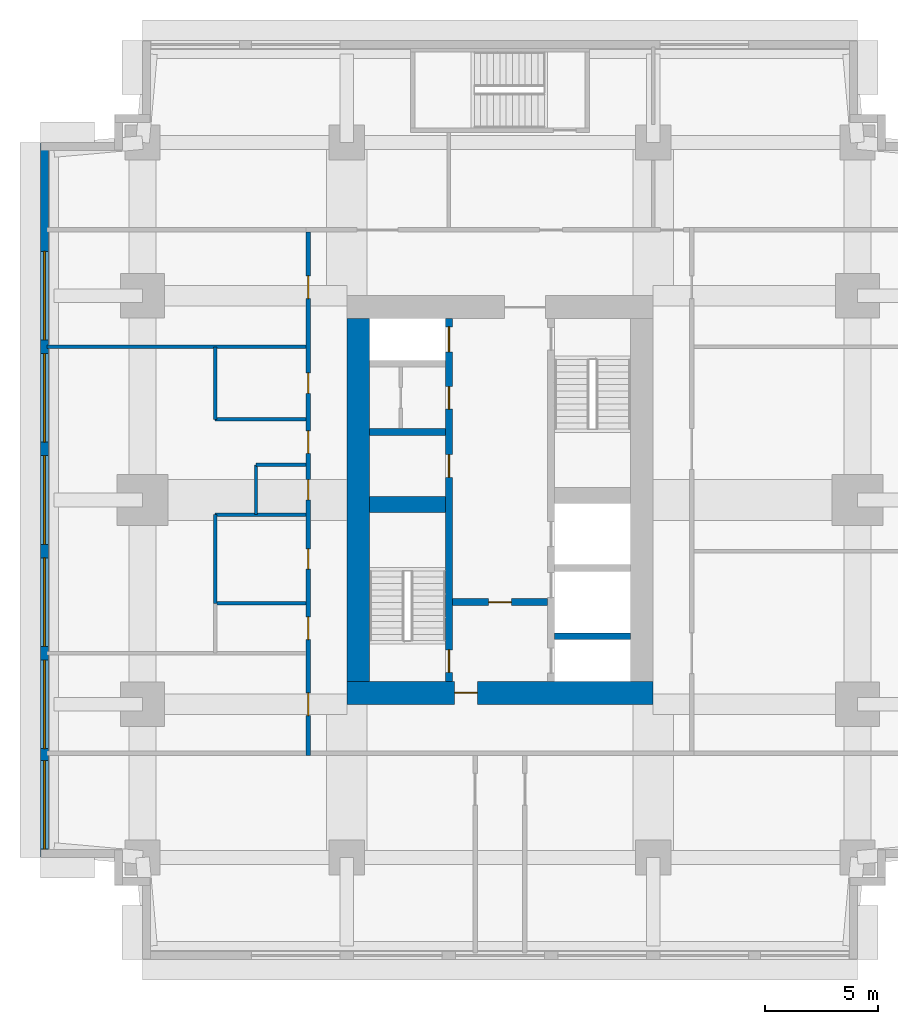
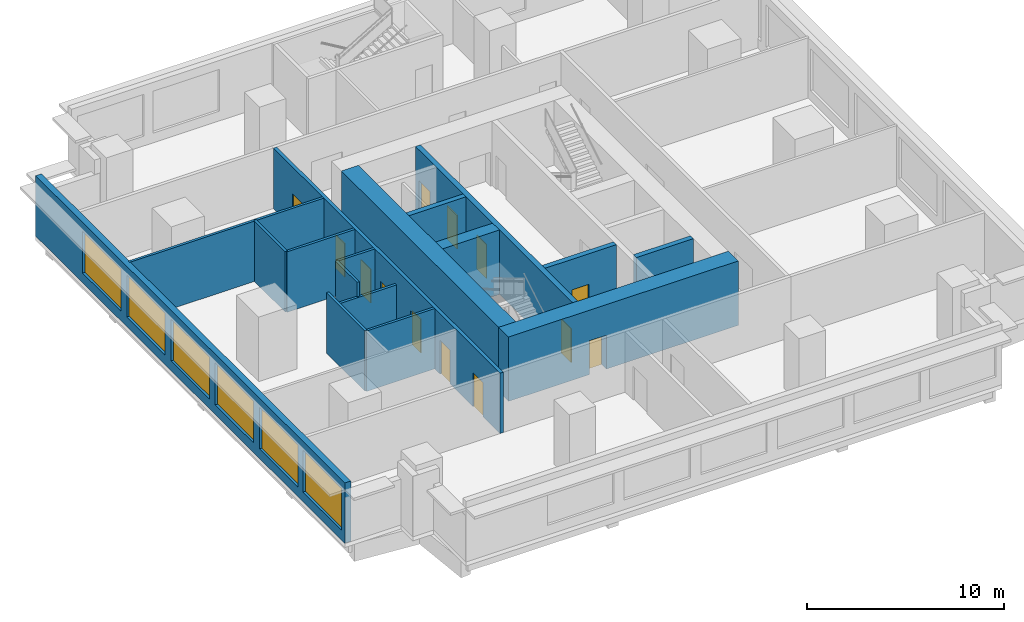
# One storey, part 3 of 10: 17 walls, 13 doors, 6 windows, 19 openings.
"""IFC4 building model written with IfcOpenShell, lengths in metres."""

import ifcopenshell
import ifcopenshell.guid

model = None  # the IFC model being written
_history = None  # IfcOwnerHistory: only IFC2X3 demands one
_inside = {}  # id of a spatial element -> (the spatial element, [elements in it])
_under = {}  # id of a project, library or spatial element -> (it, [spatial elements below it])
_declared = {}  # id of a project -> (the project, [libraries it declares])
_typed = {}  # id of a type object -> (the type object, [elements of that type])
_made_of = {}  # id of a material, layer set ... -> (it, [elements and type objects made of it])


def new_model(schema):
    """Start an empty IFC model of exactly this schema.

    Asked for "IFC4X3", IfcOpenShell would pick the latest addendum, in which some entities
    have other attributes; the version numbers below select the first issue.
    IFC2X3 requires an IfcOwnerHistory on every rooted entity: one is made here for all.
    """
    global model, _history
    if schema == "IFC4X3":
        model = ifcopenshell.file(schema_version=(4, 3, 0, 0))
    else:
        model = ifcopenshell.file(schema=schema)
    _inside.clear()
    _under.clear()
    _declared.clear()
    _typed.clear()
    _made_of.clear()
    _history = None
    if model.schema == "IFC2X3":
        org = make("IfcOrganization", Name="unknown")
        user = make(
            "IfcPersonAndOrganization",
            ThePerson=make("IfcPerson", FamilyName="unknown"),
            TheOrganization=org,
        )
        app = make(
            "IfcApplication",
            ApplicationDeveloper=org,
            Version="unknown",
            ApplicationFullName="unknown",
            ApplicationIdentifier="unknown",
        )
        _history = make(
            "IfcOwnerHistory",
            OwningUser=user,
            OwningApplication=app,
            ChangeAction="ADDED",
            CreationDate=0,
        )
    return model


def make(cls, **values):
    """One entity of the class cls with the attributes given. An attribute that is None is left unset."""
    return model.create_entity(
        cls, **{name: value for name, value in values.items() if value is not None}
    )


def rooted(cls, **values):
    """An entity with a GlobalId (a new one), such as an element, a storey or a relation."""
    return make(cls, GlobalId=ifcopenshell.guid.new(), OwnerHistory=_history, **values)


def si_unit(unit_type, name, prefix=None):
    """IfcSIUnit, for example si_unit("LENGTHUNIT", "METRE", prefix="MILLI")."""
    return make("IfcSIUnit", UnitType=unit_type, Prefix=prefix, Name=name)


def assignment(units):
    """IfcUnitAssignment: the units of a project."""
    return None if units is None else make("IfcUnitAssignment", Units=units)


def point(xyz):
    """IfcCartesianPoint."""
    return None if xyz is None else make("IfcCartesianPoint", Coordinates=xyz)


def direction(xyz):
    """IfcDirection."""
    return None if xyz is None else make("IfcDirection", DirectionRatios=xyz)


def frame(location, z_axis=None, x_axis=None):
    """IfcAxis2Placement3D, a coordinate frame: its origin and axes. An axis left out is left unset."""
    return make(
        "IfcAxis2Placement3D",
        Location=point(location),
        Axis=direction(z_axis),
        RefDirection=direction(x_axis),
    )


def frame_2d(location, x_axis=None):
    """IfcAxis2Placement2D, a coordinate frame in the plane: its origin and x axis."""
    return make(
        "IfcAxis2Placement2D", Location=point(location), RefDirection=direction(x_axis)
    )


def origin():
    """The frame at (0, 0, 0) with its axes left unset."""
    return frame((0.0, 0.0, 0.0))


def place(relative_to, where):
    """IfcLocalPlacement: puts the frame where relative to a parent placement (None: the world)."""
    return make(
        "IfcLocalPlacement", PlacementRelTo=relative_to, RelativePlacement=where
    )


def context(
    kind, dimensions, precision=None, world=None, true_north=None, identifier=None
):
    """IfcGeometricRepresentationContext, for example the 3D "Model" context."""
    return make(
        "IfcGeometricRepresentationContext",
        ContextIdentifier=identifier,
        ContextType=kind,
        CoordinateSpaceDimension=dimensions,
        Precision=precision,
        WorldCoordinateSystem=world,
        TrueNorth=true_north,
    )


def subcontext(parent, identifier, kind, view, scale=None):
    """IfcGeometricRepresentationSubContext, for example "Body" below "Model"."""
    return make(
        "IfcGeometricRepresentationSubContext",
        ContextIdentifier=identifier,
        ContextType=kind,
        ParentContext=parent,
        TargetScale=scale,
        TargetView=view,
    )


def project(units=None, contexts=None):
    """IfcProject with its units and contexts."""
    return rooted(
        "IfcProject",
        Name="project",
        RepresentationContexts=contexts,
        UnitsInContext=assignment(units),
    )


def spatial(cls, under=None, at=None, **own):
    """A site, building, storey or space (cls), placed at a placement, below another one or the project."""
    s = rooted(cls, ObjectPlacement=at, **own)
    if under is not None:
        _under.setdefault(under.id(), (under, []))[1].append(s)
    return s


def profile(cls, at=None, kind="AREA", **sizes):
    """A parametric profile (cls). Its sizes go by their IFC names, for example OverallWidth=200.0."""
    return make(cls, ProfileType=kind, Position=at, **sizes)


def rectangle(**sizes):
    """IfcRectangleProfileDef."""
    return profile("IfcRectangleProfileDef", **sizes)


def extrude(swept, where, along, depth):
    """IfcExtrudedAreaSolid: the profile swept, set in the frame where, extruded along a direction by depth."""
    return make(
        "IfcExtrudedAreaSolid",
        SweptArea=swept,
        Position=where,
        ExtrudedDirection=direction(along),
        Depth=depth,
    )


def shape(context_of_items, identifier, shape_type, items):
    """IfcShapeRepresentation: the items that make up one representation, for example the "Body"."""
    return make(
        "IfcShapeRepresentation",
        ContextOfItems=context_of_items,
        RepresentationIdentifier=identifier,
        RepresentationType=shape_type,
        Items=items,
    )


def material(Name=None, Category=None):
    """IfcMaterial."""
    return make("IfcMaterial", Name=Name, Category=Category)


def layer(
    of_material, thickness, ventilated=None, Name=None, Category=None, Priority=None
):
    """IfcMaterialLayer: one layer of a wall or slab, of a material (None: an air gap)."""
    return make(
        "IfcMaterialLayer",
        Material=of_material,
        LayerThickness=thickness,
        IsVentilated=ventilated,
        Name=Name,
        Category=Category,
        Priority=Priority,
    )


def layer_set(layers, Name=None):
    """IfcMaterialLayerSet."""
    return make("IfcMaterialLayerSet", MaterialLayers=layers, LayerSetName=Name)


def made_of(thing, what):
    """Note that an element or type object is made of a material, layer set ...; save() writes the relation."""
    if what is not None:
        _made_of.setdefault(what.id(), (what, []))[1].append(thing)
    return thing


def type_object(cls, material=None, **own):
    """A type object (cls), such as IfcWallType, which elements share."""
    return made_of(rooted(cls, **own), material)


def element(
    cls,
    number,
    at=None,
    inside=None,
    cuts=None,
    type_object=None,
    material=None,
    context=None,
    identifier="Body",
    shape_type=None,
    held_by="IfcProductDefinitionShape",
    body=None,
    shapes=None,
    **own,
):
    """One element of the class cls, such as IfcWall. Its Tag is "e" and its number.

    at: its placement. inside: the storey or other place that contains it. cuts: it is an
    opening in that element (IfcRelVoidsElement). A single representation is given by context,
    identifier, shape_type and body (its items); several are given by shapes. held_by: the class
    of the entity that holds the representations. save() writes the other relations.
    """
    e = rooted(cls, Tag="e%d" % number, ObjectPlacement=at, **own)
    if body is not None:
        shapes = [shape(context, identifier, shape_type, body)]
    if shapes is not None:
        e.Representation = make(held_by, Representations=shapes)
    if inside is not None:
        _inside.setdefault(inside.id(), (inside, []))[1].append(e)
    if cuts is not None:
        rooted(
            "IfcRelVoidsElement", RelatingBuildingElement=cuts, RelatedOpeningElement=e
        )
    if type_object is not None:
        _typed.setdefault(type_object.id(), (type_object, []))[1].append(e)
    return made_of(e, material)


def fill(opening, filler):
    """IfcRelFillsElement: the door or window that sits in an opening."""
    return rooted(
        "IfcRelFillsElement",
        RelatingOpeningElement=opening,
        RelatedBuildingElement=filler,
    )


def aggregate(whole, parts):
    """IfcRelAggregates: a whole, such as a stair, and the parts it consists of."""
    return rooted("IfcRelAggregates", RelatingObject=whole, RelatedObjects=parts)


def save(model, path):
    """Write the relations noted so far, then the file.

    IfcRelAggregates (storeys below a building ...), IfcRelContainedInSpatialStructure (elements
    in a storey), IfcRelDefinesByType, IfcRelAssociatesMaterial and IfcRelDeclares: one each for
    every whole, place, type object, material and project.
    """
    for whole, parts in _under.values():
        aggregate(whole, parts)
    for where, things in _inside.values():
        rooted(
            "IfcRelContainedInSpatialStructure",
            RelatedElements=things,
            RelatingStructure=where,
        )
    for kind, things in _typed.values():
        rooted("IfcRelDefinesByType", RelatedObjects=things, RelatingType=kind)
    for what, things in _made_of.values():
        rooted("IfcRelAssociatesMaterial", RelatedObjects=things, RelatingMaterial=what)
    for by, libraries in _declared.values():
        rooted("IfcRelDeclares", RelatingContext=by, RelatedDefinitions=libraries)
    model.write(path)


model = new_model("IFC4")

# Units and contexts
model_context = context("Model", 3, precision=1e-05, world=origin(), true_north=direction((0.0, 1.0)))
body_context = subcontext(model_context, "Body", "Model", "MODEL_VIEW")
ifc_project = project(units=[si_unit("LENGTHUNIT", "METRE"), si_unit("AREAUNIT", "SQUARE_METRE"), si_unit("VOLUMEUNIT", "CUBIC_METRE"), si_unit("PLANEANGLEUNIT", "RADIAN"), si_unit("MASSUNIT", "GRAM", prefix="KILO")], contexts=[model_context])

# Site, building, storey
site_placement = place(None, origin())
site = spatial("IfcSite", under=ifc_project, at=site_placement, CompositionType="ELEMENT")
building_placement = place(site_placement, origin())
building = spatial("IfcBuilding", under=site, at=building_placement, Name="Namib Vertical Campus", CompositionType="ELEMENT")
storey_placement = place(building_placement, frame((0.0, 0.0, 229.0)))
storey = spatial("IfcBuildingStorey", under=building, at=storey_placement, Name="L54", CompositionType="ELEMENT", Elevation=229.0)

# Wall, openings, doors
ifc_material_1 = material(Name="Concrete C60/75", Category="concrete")
ifc_layer_1 = layer(ifc_material_1, 0.300048828125)
ifc_layer_set_1 = layer_set([ifc_layer_1], Name="Concrete C60/75")
wall_type_1 = type_object("IfcWallType", Name="Core inner wall 300", PredefinedType="SHEAR", material=ifc_layer_set_1)
wall_1_placement = place(storey_placement, frame((18.0, 12.25, 0.0), z_axis=(0.0, 0.0, 1.0), x_axis=(0.0, 1.0, 0.0)))
wall_1 = element("IfcWall", 1, at=wall_1_placement, inside=storey, type_object=wall_type_1, Name="Core inner wall A L54 W1", PredefinedType="SHEAR", context=body_context, shape_type="SweptSolid", body=[
    extrude(rectangle(XDim=16.0, YDim=0.300048828125, at=frame_2d((8.0, 0.0))), origin(), (0.0, 0.0, 1.0), 4.0),
])
opening_1_placement = place(wall_1_placement, frame((0.39990234375, 0.0, 0.0)))
opening_1 = element("IfcOpeningElement", 2, at=opening_1_placement, cuts=wall_1, Name="Opening FD1", PredefinedType="OPENING", context=body_context, shape_type="SweptSolid", body=[
    extrude(rectangle(XDim=1.0, YDim=2.10009765625, at=frame_2d((0.5, 1.050048828125))), frame((0.0, 0.159912109375, 0.0), z_axis=(0.0, -1.0, 0.0), x_axis=(1.0, 0.0, 0.0)), (0.0, 0.0, 1.0), 0.320068359375),
])
opening_2_placement = place(wall_1_placement, frame((14.52490234375, 0.0, 0.0)))
opening_2 = element("IfcOpeningElement", 3, at=opening_2_placement, cuts=wall_1, Name="Opening LD1", PredefinedType="OPENING", context=body_context, shape_type="SweptSolid", body=[
    extrude(rectangle(XDim=1.10009765625, YDim=2.10009765625, at=frame_2d((0.550048828125, 1.050048828125))), frame((0.0, 0.159912109375, 0.0), z_axis=(0.0, -1.0, 0.0), x_axis=(1.0, 0.0, 0.0)), (0.0, 0.0, 1.0), 0.320068359375),
])
opening_3_placement = place(wall_1_placement, frame((9.0, 0.0, 0.0)))
opening_3 = element("IfcOpeningElement", 4, at=opening_3_placement, cuts=wall_1, Name="Opening D1", PredefinedType="OPENING", context=body_context, shape_type="SweptSolid", body=[
    extrude(rectangle(XDim=1.0, YDim=2.10009765625, at=frame_2d((0.5, 1.050048828125))), frame((0.0, 0.159912109375, 0.0), z_axis=(0.0, -1.0, 0.0), x_axis=(1.0, 0.0, 0.0)), (0.0, 0.0, 1.0), 0.320068359375),
])
opening_4_placement = place(wall_1_placement, frame((12.0, 0.0, 0.0)))
opening_4 = element("IfcOpeningElement", 5, at=opening_4_placement, cuts=wall_1, Name="Opening D1", PredefinedType="OPENING", context=body_context, shape_type="SweptSolid", body=[
    extrude(rectangle(XDim=1.0, YDim=2.10009765625, at=frame_2d((0.5, 1.050048828125))), frame((0.0, 0.159912109375, 0.0), z_axis=(0.0, -1.0, 0.0), x_axis=(1.0, 0.0, 0.0)), (0.0, 0.0, 1.0), 0.320068359375),
])
ifc_material_2 = material(Name="Timber door leaf", Category="wood")
door_type_1 = type_object("IfcDoorType", Name="Door single 1000x2100", OperationType="SINGLE_SWING_LEFT", PredefinedType="DOOR", material=ifc_material_2)
door_1_placement = place(opening_3_placement, origin())
door_1 = element("IfcDoor", 6, at=door_1_placement, inside=storey, type_object=door_type_1, Name="Door D1 Staff pantry A L54 P1", OperationType="SINGLE_SWING_LEFT", OverallHeight=2.10009765625, OverallWidth=1.0, PredefinedType="DOOR", context=body_context, shape_type="SweptSolid", body=[
    extrude(rectangle(XDim=1.0, YDim=2.10009765625, at=frame_2d((0.5, 1.050048828125))), frame((0.0, 0.02490234375, 0.0), z_axis=(0.0, -1.0, 0.0), x_axis=(1.0, 0.0, 0.0)), (0.0, 0.0, 1.0), 0.050048828125),
])
fill(opening_3, door_1)
door_2_placement = place(opening_4_placement, origin())
door_2 = element("IfcDoor", 7, at=door_2_placement, inside=storey, type_object=door_type_1, Name="Door D1 Records store A L54 P2", OperationType="SINGLE_SWING_LEFT", OverallHeight=2.10009765625, OverallWidth=1.0, PredefinedType="DOOR", context=body_context, shape_type="SweptSolid", body=[
    extrude(rectangle(XDim=1.0, YDim=2.10009765625, at=frame_2d((0.5, 1.050048828125))), frame((0.0, 0.02490234375, 0.0), z_axis=(0.0, -1.0, 0.0), x_axis=(1.0, 0.0, 0.0)), (0.0, 0.0, 1.0), 0.050048828125),
])
fill(opening_4, door_2)
ifc_material_3 = material(Name="Steel fire door", Category="steel")
door_type_2 = type_object("IfcDoorType", Name="Fire door 1000x2100", OperationType="SINGLE_SWING_RIGHT", PredefinedType="DOOR", material=ifc_material_3)
door_3_placement = place(opening_1_placement, origin())
door_3 = element("IfcDoor", 8, at=door_3_placement, inside=storey, type_object=door_type_2, Name="Stair door FD1 A L54 S1", OperationType="SINGLE_SWING_LEFT", OverallHeight=2.10009765625, OverallWidth=1.0, PredefinedType="DOOR", context=body_context, shape_type="SweptSolid", body=[
    extrude(rectangle(XDim=1.0, YDim=2.10009765625, at=frame_2d((0.5, 1.050048828125))), frame((0.0, 0.02490234375, 0.0), z_axis=(0.0, -1.0, 0.0), x_axis=(1.0, 0.0, 0.0)), (0.0, 0.0, 1.0), 0.050048828125),
])
fill(opening_1, door_3)
ifc_material_4 = material(Name="Stainless steel lift door", Category="steel")
door_type_3 = type_object("IfcDoorType", Name="Lift landing door 1100x2100", OperationType="DOUBLE_DOOR_SLIDING", PredefinedType="DOOR", material=ifc_material_4)
door_4_placement = place(opening_2_placement, origin())
door_4 = element("IfcDoor", 9, at=door_4_placement, inside=storey, type_object=door_type_3, Name="Lift landing door LD1 A-P3 L54", OperationType="DOUBLE_DOOR_SLIDING", OverallHeight=2.10009765625, OverallWidth=1.10009765625, PredefinedType="DOOR", context=body_context, shape_type="SweptSolid", body=[
    extrude(rectangle(XDim=1.10009765625, YDim=2.10009765625, at=frame_2d((0.550048828125, 1.050048828125))), frame((0.0, 0.02490234375, 0.0), z_axis=(0.0, -1.0, 0.0), x_axis=(1.0, 0.0, 0.0)), (0.0, 0.0, 1.0), 0.050048828125),
])
fill(opening_2, door_4)

# Wall, opening, door
wall_2_placement = place(storey_placement, frame((18.14990234375, 15.75, 0.0), z_axis=(0.0, 0.0, 1.0), x_axis=(1.0, 0.0, 0.0)))
wall_2 = element("IfcWall", 10, at=wall_2_placement, inside=storey, type_object=wall_type_1, Name="Core inner wall A L54 W4", PredefinedType="SHEAR", context=body_context, shape_type="SweptSolid", body=[
    extrude(rectangle(XDim=4.2001953125, YDim=0.300048828125, at=frame_2d((2.10009765625, 0.0))), origin(), (0.0, 0.0, 1.0), 4.0),
])
opening_5_placement = place(wall_2_placement, frame((1.60009765625, 0.0, 0.0)))
opening_5 = element("IfcOpeningElement", 11, at=opening_5_placement, cuts=wall_2, Name="Opening FD5", PredefinedType="OPENING", context=body_context, shape_type="SweptSolid", body=[
    extrude(rectangle(XDim=1.0, YDim=2.10009765625, at=frame_2d((0.5, 1.050048828125))), frame((0.0, 0.159912109375, 0.0), z_axis=(0.0, -1.0, 0.0), x_axis=(1.0, 0.0, 0.0)), (0.0, 0.0, 1.0), 0.320068359375),
])
ifc_material_5 = material(Name="Steel fire door", Category="steel")
door_type_4 = type_object("IfcDoorType", Name="Fire door 1000x2100 120 min", OperationType="SINGLE_SWING_RIGHT", PredefinedType="DOOR", material=ifc_material_5)
door_5_placement = place(opening_5_placement, frame((1.0, 0.0, 0.0), z_axis=(0.0, 0.0, 1.0), x_axis=(-1.0, 0.0, 0.0)))
door_5 = element("IfcDoor", 12, at=door_5_placement, inside=storey, type_object=door_type_4, Name="Lobby door FD5 A L54", OperationType="SINGLE_SWING_RIGHT", OverallHeight=2.10009765625, OverallWidth=1.0, PredefinedType="DOOR", context=body_context, shape_type="SweptSolid", body=[
    extrude(rectangle(XDim=1.0, YDim=2.10009765625, at=frame_2d((0.5, 1.050048828125))), frame((0.0, 0.02490234375, 0.0), z_axis=(0.0, -1.0, 0.0), x_axis=(1.0, 0.0, 0.0)), (0.0, 0.0, 1.0), 0.050048828125),
])
fill(opening_5, door_5)

# Walls
for number, where, z_axis, x_axis, name in (
    (13, (22.64990234375, 14.25, 0.0), (0.0, 0.0, 1.0), (1.0, 0.0, 0.0), "Core inner wall A L54 W5"),
    (14, (14.5, 23.25, 0.0), (0.0, 0.0, 1.0), (1.0, 0.0, 0.0), "Core inner wall A L54 W8"),
):
    element("IfcWall", number, at=place(storey_placement, frame(where, z_axis=z_axis, x_axis=x_axis)), inside=storey, type_object=wall_type_1, Name=name, PredefinedType="SHEAR", context=body_context, shape_type="SweptSolid", body=[
        extrude(rectangle(XDim=3.35009765625, YDim=0.300048828125, at=frame_2d((1.675048828125, 0.0))), origin(), (0.0, 0.0, 1.0), 4.0),
    ])
ifc_material_6 = material(Name="Concrete C60/75", Category="concrete")
ifc_layer_2 = layer(ifc_material_6, 0.699951171875)
ifc_layer_set_2 = layer_set([ifc_layer_2], Name="Concrete C60/75")
wall_type_2 = type_object("IfcWallType", Name="Core shear wall 700", PredefinedType="SHEAR", material=ifc_layer_set_2)
wall_3_placement = place(storey_placement, frame((14.5, 20.050048828125, 0.0), z_axis=(0.0, 0.0, 1.0), x_axis=(1.0, 0.0, 0.0)))
element("IfcWall", 15, at=wall_3_placement, inside=storey, type_object=wall_type_2, Name="Core shear wall A L54 W3", PredefinedType="SHEAR", context=body_context, shape_type="SweptSolid", body=[
    extrude(rectangle(XDim=3.35009765625, YDim=0.699951171875, at=frame_2d((1.675048828125, 0.0))), origin(), (0.0, 0.0, 1.0), 4.0),
])

# Wall, opening, door
ifc_material_7 = material(Name="Concrete C60/75", Category="concrete")
ifc_layer_3 = layer(ifc_material_7, 1.0)
ifc_layer_set_3 = layer_set([ifc_layer_3], Name="Concrete C60/75")
wall_type_3 = type_object("IfcWallType", Name="Core wall 1000", PredefinedType="SHEAR", material=ifc_layer_set_3)
wall_4_placement = place(storey_placement, frame((13.5, 11.75, 0.0), z_axis=(0.0, 0.0, 1.0), x_axis=(1.0, 0.0, 0.0)))
wall_4 = element("IfcWall", 16, at=wall_4_placement, inside=storey, type_object=wall_type_3, Name="Core wall A L54 1", PredefinedType="SHEAR", context=body_context, shape_type="SweptSolid", body=[
    extrude(rectangle(XDim=13.5, YDim=1.0, at=frame_2d((6.75, 0.0))), origin(), (0.0, 0.0, 1.0), 4.0),
])
opening_6_placement = place(wall_4_placement, frame((4.75, 0.0, 0.0)))
opening_6 = element("IfcOpeningElement", 17, at=opening_6_placement, cuts=wall_4, Name="Opening FD5", PredefinedType="OPENING", context=body_context, shape_type="SweptSolid", body=[
    extrude(rectangle(XDim=1.0, YDim=2.10009765625, at=frame_2d((0.5, 1.050048828125))), frame((0.0, 0.510009765625, 0.0), z_axis=(0.0, -1.0, 0.0), x_axis=(1.0, 0.0, 0.0)), (0.0, 0.0, 1.0), 1.02001953125),
])
door_6_placement = place(opening_6_placement, origin())
door_6 = element("IfcDoor", 18, at=door_6_placement, inside=storey, type_object=door_type_4, Name="Firefighting lobby door FD5 A L54", OperationType="SINGLE_SWING_LEFT", OverallHeight=2.10009765625, OverallWidth=1.0, PredefinedType="DOOR", context=body_context, shape_type="SweptSolid", body=[
    extrude(rectangle(XDim=1.0, YDim=2.10009765625, at=frame_2d((0.5, 1.050048828125))), frame((0.0, 0.02490234375, 0.0), z_axis=(0.0, -1.0, 0.0), x_axis=(1.0, 0.0, 0.0)), (0.0, 0.0, 1.0), 0.050048828125),
])
fill(opening_6, door_6)

# Wall
wall_5_placement = place(storey_placement, frame((14.0, 28.25, 0.0), z_axis=(0.0, 0.0, 1.0), x_axis=(0.0, -1.0, 0.0)))
element("IfcWall", 19, at=wall_5_placement, inside=storey, type_object=wall_type_3, Name="Core wall A L54 4", PredefinedType="SHEAR", context=body_context, shape_type="SweptSolid", body=[
    extrude(rectangle(XDim=16.0, YDim=1.0, at=frame_2d((8.0, 0.0))), origin(), (0.0, 0.0, 1.0), 4.0),
])

# Wall, openings, doors
ifc_material_8 = material(Name="Concrete masonry", Category="masonry")
ifc_layer_4 = layer(ifc_material_8, 0.199951171875)
ifc_layer_set_4 = layer_set([ifc_layer_4], Name="Corridor wall 200")
wall_type_4 = type_object("IfcWallType", Name="Corridor wall 200", PredefinedType="SOLIDWALL", material=ifc_layer_set_4)
wall_6_placement = place(storey_placement, frame((11.800048828125, 32.050048828125, 0.0), z_axis=(0.0, 0.0, 1.0), x_axis=(0.0, -1.0, 0.0)))
wall_6 = element("IfcWall", 20, at=wall_6_placement, inside=storey, type_object=wall_type_4, Name="Corridor wall A L54 CW", PredefinedType="SOLIDWALL", context=body_context, shape_type="SweptSolid", body=[
    extrude(rectangle(XDim=23.050048828125, YDim=0.199951171875, at=frame_2d((11.52490234375, 0.0))), origin(), (0.0, 0.0, 1.0), 3.75),
])
opening_7_placement = place(wall_6_placement, frame((20.300048828125, 0.0, 0.0)))
opening_7 = element("IfcOpeningElement", 21, at=opening_7_placement, cuts=wall_6, Name="Opening CD1", PredefinedType="OPENING", context=body_context, shape_type="SweptSolid", body=[
    extrude(rectangle(XDim=1.0, YDim=2.10009765625, at=frame_2d((0.5, 1.050048828125))), frame((0.0, 0.10986328125, 0.0), z_axis=(0.0, -1.0, 0.0), x_axis=(1.0, 0.0, 0.0)), (0.0, 0.0, 1.0), 0.219970703125),
])
opening_8_placement = place(wall_6_placement, frame((16.949951171875, 0.0, 0.0)))
opening_8 = element("IfcOpeningElement", 22, at=opening_8_placement, cuts=wall_6, Name="Opening CD1", PredefinedType="OPENING", context=body_context, shape_type="SweptSolid", body=[
    extrude(rectangle(XDim=1.0, YDim=2.10009765625, at=frame_2d((0.5, 1.050048828125))), frame((0.0, 0.10986328125, 0.0), z_axis=(0.0, -1.0, 0.0), x_axis=(1.0, 0.0, 0.0)), (0.0, 0.0, 1.0), 0.219970703125),
])
opening_9_placement = place(wall_6_placement, frame((13.949951171875, 0.0, 0.0)))
opening_9 = element("IfcOpeningElement", 23, at=opening_9_placement, cuts=wall_6, Name="Opening CD3", PredefinedType="OPENING", context=body_context, shape_type="SweptSolid", body=[
    extrude(rectangle(XDim=0.89990234375, YDim=2.10009765625, at=frame_2d((0.449951171875, 1.050048828125))), frame((0.0, 0.10986328125, 0.0), z_axis=(0.0, -1.0, 0.0), x_axis=(1.0, 0.0, 0.0)), (0.0, 0.0, 1.0), 0.219970703125),
])
opening_10_placement = place(wall_6_placement, frame((10.89990234375, 0.0, 0.0)))
opening_10 = element("IfcOpeningElement", 24, at=opening_10_placement, cuts=wall_6, Name="Opening CD3", PredefinedType="OPENING", context=body_context, shape_type="SweptSolid", body=[
    extrude(rectangle(XDim=0.89990234375, YDim=2.10009765625, at=frame_2d((0.449951171875, 1.050048828125))), frame((0.0, 0.10986328125, 0.0), z_axis=(0.0, -1.0, 0.0), x_axis=(1.0, 0.0, 0.0)), (0.0, 0.0, 1.0), 0.219970703125),
])
opening_11_placement = place(wall_6_placement, frame((6.199951171875, 0.0, 0.0)))
opening_11 = element("IfcOpeningElement", 25, at=opening_11_placement, cuts=wall_6, Name="Opening CD3", PredefinedType="OPENING", context=body_context, shape_type="SweptSolid", body=[
    extrude(rectangle(XDim=0.89990234375, YDim=2.10009765625, at=frame_2d((0.449951171875, 1.050048828125))), frame((0.0, 0.10986328125, 0.0), z_axis=(0.0, -1.0, 0.0), x_axis=(1.0, 0.0, 0.0)), (0.0, 0.0, 1.0), 0.219970703125),
])
opening_12_placement = place(wall_6_placement, frame((8.75, 0.0, 0.0)))
opening_12 = element("IfcOpeningElement", 26, at=opening_12_placement, cuts=wall_6, Name="Opening CD1", PredefinedType="OPENING", context=body_context, shape_type="SweptSolid", body=[
    extrude(rectangle(XDim=1.0, YDim=2.10009765625, at=frame_2d((0.5, 1.050048828125))), frame((0.0, 0.10986328125, 0.0), z_axis=(0.0, -1.0, 0.0), x_axis=(1.0, 0.0, 0.0)), (0.0, 0.0, 1.0), 0.219970703125),
])
opening_13_placement = place(wall_6_placement, frame((1.925048828125, 0.0, 0.0)))
opening_13 = element("IfcOpeningElement", 27, at=opening_13_placement, cuts=wall_6, Name="Opening CD1", PredefinedType="OPENING", context=body_context, shape_type="SweptSolid", body=[
    extrude(rectangle(XDim=1.0, YDim=2.10009765625, at=frame_2d((0.5, 1.050048828125))), frame((0.0, 0.10986328125, 0.0), z_axis=(0.0, -1.0, 0.0), x_axis=(1.0, 0.0, 0.0)), (0.0, 0.0, 1.0), 0.219970703125),
])
ifc_material_9 = material(Name="Timber fire door leaf", Category="wood")
door_type_5 = type_object("IfcDoorType", Name="Corridor door 1000x2100 20 min", OperationType="SINGLE_SWING_LEFT", PredefinedType="DOOR", material=ifc_material_9)
door_7_placement = place(opening_7_placement, frame((1.0, 0.0, 0.0), z_axis=(0.0, 0.0, 1.0), x_axis=(-1.0, 0.0, 0.0)))
door_7 = element("IfcDoor", 28, at=door_7_placement, inside=storey, type_object=door_type_5, Name="Door CD1 A54-09", OperationType="SINGLE_SWING_RIGHT", OverallHeight=2.10009765625, OverallWidth=1.0, PredefinedType="DOOR", context=body_context, shape_type="SweptSolid", body=[
    extrude(rectangle(XDim=1.0, YDim=2.10009765625, at=frame_2d((0.5, 1.050048828125))), frame((0.0, 0.02490234375, 0.0), z_axis=(0.0, -1.0, 0.0), x_axis=(1.0, 0.0, 0.0)), (0.0, 0.0, 1.0), 0.050048828125),
])
fill(opening_7, door_7)
door_8_placement = place(opening_8_placement, frame((1.0, 0.0, 0.0), z_axis=(0.0, 0.0, 1.0), x_axis=(-1.0, 0.0, 0.0)))
door_8 = element("IfcDoor", 29, at=door_8_placement, inside=storey, type_object=door_type_5, Name="Door CD1 A54-10", OperationType="SINGLE_SWING_RIGHT", OverallHeight=2.10009765625, OverallWidth=1.0, PredefinedType="DOOR", context=body_context, shape_type="SweptSolid", body=[
    extrude(rectangle(XDim=1.0, YDim=2.10009765625, at=frame_2d((0.5, 1.050048828125))), frame((0.0, 0.02490234375, 0.0), z_axis=(0.0, -1.0, 0.0), x_axis=(1.0, 0.0, 0.0)), (0.0, 0.0, 1.0), 0.050048828125),
])
fill(opening_8, door_8)
door_9_placement = place(opening_12_placement, frame((1.0, 0.0, 0.0), z_axis=(0.0, 0.0, 1.0), x_axis=(-1.0, 0.0, 0.0)))
door_9 = element("IfcDoor", 30, at=door_9_placement, inside=storey, type_object=door_type_5, Name="Door CD1 A54-14", OperationType="SINGLE_SWING_RIGHT", OverallHeight=2.10009765625, OverallWidth=1.0, PredefinedType="DOOR", context=body_context, shape_type="SweptSolid", body=[
    extrude(rectangle(XDim=1.0, YDim=2.10009765625, at=frame_2d((0.5, 1.050048828125))), frame((0.0, 0.02490234375, 0.0), z_axis=(0.0, -1.0, 0.0), x_axis=(1.0, 0.0, 0.0)), (0.0, 0.0, 1.0), 0.050048828125),
])
fill(opening_12, door_9)
door_10_placement = place(opening_13_placement, frame((1.0, 0.0, 0.0), z_axis=(0.0, 0.0, 1.0), x_axis=(-1.0, 0.0, 0.0)))
door_10 = element("IfcDoor", 31, at=door_10_placement, inside=storey, type_object=door_type_5, Name="Door CD1 A54-15", OperationType="SINGLE_SWING_RIGHT", OverallHeight=2.10009765625, OverallWidth=1.0, PredefinedType="DOOR", context=body_context, shape_type="SweptSolid", body=[
    extrude(rectangle(XDim=1.0, YDim=2.10009765625, at=frame_2d((0.5, 1.050048828125))), frame((0.0, 0.02490234375, 0.0), z_axis=(0.0, -1.0, 0.0), x_axis=(1.0, 0.0, 0.0)), (0.0, 0.0, 1.0), 0.050048828125),
])
fill(opening_13, door_10)
ifc_material_10 = material(Name="Timber fire door leaf", Category="wood")
door_type_6 = type_object("IfcDoorType", Name="Corridor toilet door 900x2100 20 min", OperationType="SINGLE_SWING_LEFT", PredefinedType="DOOR", material=ifc_material_10)
door_11_placement = place(opening_9_placement, frame((0.89990234375, 0.0, 0.0), z_axis=(0.0, 0.0, 1.0), x_axis=(-1.0, 0.0, 0.0)))
door_11 = element("IfcDoor", 32, at=door_11_placement, inside=storey, type_object=door_type_6, Name="Door CD3 A54-11", OperationType="SINGLE_SWING_RIGHT", OverallHeight=2.10009765625, OverallWidth=0.89990234375, PredefinedType="DOOR", context=body_context, shape_type="SweptSolid", body=[
    extrude(rectangle(XDim=0.89990234375, YDim=2.10009765625, at=frame_2d((0.449951171875, 1.050048828125))), frame((0.0, 0.02490234375, 0.0), z_axis=(0.0, -1.0, 0.0), x_axis=(1.0, 0.0, 0.0)), (0.0, 0.0, 1.0), 0.050048828125),
])
fill(opening_9, door_11)
door_12_placement = place(opening_10_placement, frame((0.89990234375, 0.0, 0.0), z_axis=(0.0, 0.0, 1.0), x_axis=(-1.0, 0.0, 0.0)))
door_12 = element("IfcDoor", 33, at=door_12_placement, inside=storey, type_object=door_type_6, Name="Door CD3 A54-12", OperationType="SINGLE_SWING_RIGHT", OverallHeight=2.10009765625, OverallWidth=0.89990234375, PredefinedType="DOOR", context=body_context, shape_type="SweptSolid", body=[
    extrude(rectangle(XDim=0.89990234375, YDim=2.10009765625, at=frame_2d((0.449951171875, 1.050048828125))), frame((0.0, 0.02490234375, 0.0), z_axis=(0.0, -1.0, 0.0), x_axis=(1.0, 0.0, 0.0)), (0.0, 0.0, 1.0), 0.050048828125),
])
fill(opening_10, door_12)
door_13_placement = place(opening_11_placement, frame((0.89990234375, 0.0, 0.0), z_axis=(0.0, 0.0, 1.0), x_axis=(-1.0, 0.0, 0.0)))
door_13 = element("IfcDoor", 34, at=door_13_placement, inside=storey, type_object=door_type_6, Name="Door CD3 A54-13", OperationType="SINGLE_SWING_RIGHT", OverallHeight=2.10009765625, OverallWidth=0.89990234375, PredefinedType="DOOR", context=body_context, shape_type="SweptSolid", body=[
    extrude(rectangle(XDim=0.89990234375, YDim=2.10009765625, at=frame_2d((0.449951171875, 1.050048828125))), frame((0.0, 0.02490234375, 0.0), z_axis=(0.0, -1.0, 0.0), x_axis=(1.0, 0.0, 0.0)), (0.0, 0.0, 1.0), 0.050048828125),
])
fill(opening_11, door_13)

# Wall, openings, windows
ifc_material_11 = material(Name="Concrete C40/50", Category="concrete")
ifc_layer_5 = layer(ifc_material_11, 0.35009765625)
ifc_layer_set_5 = layer_set([ifc_layer_5], Name="Concrete C40/50")
wall_type_5 = type_object("IfcWallType", Name="External wall 350 bush-hammered concrete", PredefinedType="STANDARD", material=ifc_layer_set_5)
wall_7_placement = place(storey_placement, frame((0.175048828125, 35.97998046875, 0.0), z_axis=(0.0, 0.0, 1.0), x_axis=(0.0, -1.0, 0.0)))
wall_7 = element("IfcWall", 35, at=wall_7_placement, inside=storey, type_object=wall_type_5, Name="External wall L54 F16", PredefinedType="STANDARD", context=body_context, shape_type="SweptSolid", body=[
    extrude(rectangle(XDim=31.4599609375, YDim=0.35009765625, at=frame_2d((15.72998046875, 0.0))), origin(), (0.0, 0.0, 1.0), 3.75),
])
opening_14_placement = place(wall_7_placement, frame((27.2099609375, 0.0, 0.60009765625)))
opening_14 = element("IfcOpeningElement", 36, at=opening_14_placement, cuts=wall_7, Name="Opening W2", PredefinedType="OPENING", context=body_context, shape_type="SweptSolid", body=[
    extrude(rectangle(XDim=3.89990234375, YDim=2.60009765625, at=frame_2d((1.949951171875, 1.300048828125))), frame((0.0, 0.18505859375, 0.0), z_axis=(0.0, -1.0, 0.0), x_axis=(1.0, 0.0, 0.0)), (0.0, 0.0, 1.0), 0.3701171875),
])
opening_15_placement = place(wall_7_placement, frame((22.780029296875, 0.0, 0.60009765625)))
opening_15 = element("IfcOpeningElement", 37, at=opening_15_placement, cuts=wall_7, Name="Opening W2", PredefinedType="OPENING", context=body_context, shape_type="SweptSolid", body=[
    extrude(rectangle(XDim=3.89990234375, YDim=2.60009765625, at=frame_2d((1.949951171875, 1.300048828125))), frame((0.0, 0.18505859375, 0.0), z_axis=(0.0, -1.0, 0.0), x_axis=(1.0, 0.0, 0.0)), (0.0, 0.0, 1.0), 0.3701171875),
])
opening_16_placement = place(wall_7_placement, frame((18.280029296875, 0.0, 0.60009765625)))
opening_16 = element("IfcOpeningElement", 38, at=opening_16_placement, cuts=wall_7, Name="Opening W2", PredefinedType="OPENING", context=body_context, shape_type="SweptSolid", body=[
    extrude(rectangle(XDim=3.89990234375, YDim=2.60009765625, at=frame_2d((1.949951171875, 1.300048828125))), frame((0.0, 0.18505859375, 0.0), z_axis=(0.0, -1.0, 0.0), x_axis=(1.0, 0.0, 0.0)), (0.0, 0.0, 1.0), 0.3701171875),
])
opening_17_placement = place(wall_7_placement, frame((13.780029296875, 0.0, 0.60009765625)))
opening_17 = element("IfcOpeningElement", 39, at=opening_17_placement, cuts=wall_7, Name="Opening W2", PredefinedType="OPENING", context=body_context, shape_type="SweptSolid", body=[
    extrude(rectangle(XDim=3.89990234375, YDim=2.60009765625, at=frame_2d((1.949951171875, 1.300048828125))), frame((0.0, 0.18505859375, 0.0), z_axis=(0.0, -1.0, 0.0), x_axis=(1.0, 0.0, 0.0)), (0.0, 0.0, 1.0), 0.3701171875),
])
opening_18_placement = place(wall_7_placement, frame((9.280029296875, 0.0, 0.60009765625)))
opening_18 = element("IfcOpeningElement", 40, at=opening_18_placement, cuts=wall_7, Name="Opening W2", PredefinedType="OPENING", context=body_context, shape_type="SweptSolid", body=[
    extrude(rectangle(XDim=3.89990234375, YDim=2.60009765625, at=frame_2d((1.949951171875, 1.300048828125))), frame((0.0, 0.18505859375, 0.0), z_axis=(0.0, -1.0, 0.0), x_axis=(1.0, 0.0, 0.0)), (0.0, 0.0, 1.0), 0.3701171875),
])
opening_19_placement = place(wall_7_placement, frame((4.780029296875, 0.0, 0.60009765625)))
opening_19 = element("IfcOpeningElement", 41, at=opening_19_placement, cuts=wall_7, Name="Opening W2", PredefinedType="OPENING", context=body_context, shape_type="SweptSolid", body=[
    extrude(rectangle(XDim=3.89990234375, YDim=2.60009765625, at=frame_2d((1.949951171875, 1.300048828125))), frame((0.0, 0.18505859375, 0.0), z_axis=(0.0, -1.0, 0.0), x_axis=(1.0, 0.0, 0.0)), (0.0, 0.0, 1.0), 0.3701171875),
])
ifc_material_12 = material(Name="Dark tinted glass in black aluminium frame", Category="aluminium")
window_type = type_object("IfcWindowType", Name="Ribbon window 3900x2600", PartitioningType="SINGLE_PANEL", PredefinedType="WINDOW", material=ifc_material_12)
window_1_placement = place(opening_14_placement, origin())
window_1 = element("IfcWindow", 42, at=window_1_placement, inside=storey, type_object=window_type, Name="Window W2 L54 F16-1", OverallHeight=2.60009765625, OverallWidth=3.89990234375, PartitioningType="SINGLE_PANEL", PredefinedType="WINDOW", context=body_context, shape_type="SweptSolid", body=[
    extrude(rectangle(XDim=3.89990234375, YDim=2.60009765625, at=frame_2d((1.949951171875, 1.300048828125))), frame((0.0, 0.030029296875, 0.0), z_axis=(0.0, -1.0, 0.0), x_axis=(1.0, 0.0, 0.0)), (0.0, 0.0, 1.0), 0.06005859375),
])
fill(opening_14, window_1)
window_2_placement = place(opening_15_placement, origin())
window_2 = element("IfcWindow", 43, at=window_2_placement, inside=storey, type_object=window_type, Name="Window W2 L54 F16-2", OverallHeight=2.60009765625, OverallWidth=3.89990234375, PartitioningType="SINGLE_PANEL", PredefinedType="WINDOW", context=body_context, shape_type="SweptSolid", body=[
    extrude(rectangle(XDim=3.89990234375, YDim=2.60009765625, at=frame_2d((1.949951171875, 1.300048828125))), frame((0.0, 0.030029296875, 0.0), z_axis=(0.0, -1.0, 0.0), x_axis=(1.0, 0.0, 0.0)), (0.0, 0.0, 1.0), 0.06005859375),
])
fill(opening_15, window_2)
window_3_placement = place(opening_16_placement, origin())
window_3 = element("IfcWindow", 44, at=window_3_placement, inside=storey, type_object=window_type, Name="Window W2 L54 F16-3", OverallHeight=2.60009765625, OverallWidth=3.89990234375, PartitioningType="SINGLE_PANEL", PredefinedType="WINDOW", context=body_context, shape_type="SweptSolid", body=[
    extrude(rectangle(XDim=3.89990234375, YDim=2.60009765625, at=frame_2d((1.949951171875, 1.300048828125))), frame((0.0, 0.030029296875, 0.0), z_axis=(0.0, -1.0, 0.0), x_axis=(1.0, 0.0, 0.0)), (0.0, 0.0, 1.0), 0.06005859375),
])
fill(opening_16, window_3)
window_4_placement = place(opening_17_placement, origin())
window_4 = element("IfcWindow", 45, at=window_4_placement, inside=storey, type_object=window_type, Name="Window W2 L54 F16-4", OverallHeight=2.60009765625, OverallWidth=3.89990234375, PartitioningType="SINGLE_PANEL", PredefinedType="WINDOW", context=body_context, shape_type="SweptSolid", body=[
    extrude(rectangle(XDim=3.89990234375, YDim=2.60009765625, at=frame_2d((1.949951171875, 1.300048828125))), frame((0.0, 0.030029296875, 0.0), z_axis=(0.0, -1.0, 0.0), x_axis=(1.0, 0.0, 0.0)), (0.0, 0.0, 1.0), 0.06005859375),
])
fill(opening_17, window_4)
window_5_placement = place(opening_18_placement, origin())
window_5 = element("IfcWindow", 46, at=window_5_placement, inside=storey, type_object=window_type, Name="Window W2 L54 F16-5", OverallHeight=2.60009765625, OverallWidth=3.89990234375, PartitioningType="SINGLE_PANEL", PredefinedType="WINDOW", context=body_context, shape_type="SweptSolid", body=[
    extrude(rectangle(XDim=3.89990234375, YDim=2.60009765625, at=frame_2d((1.949951171875, 1.300048828125))), frame((0.0, 0.030029296875, 0.0), z_axis=(0.0, -1.0, 0.0), x_axis=(1.0, 0.0, 0.0)), (0.0, 0.0, 1.0), 0.06005859375),
])
fill(opening_18, window_5)
window_6_placement = place(opening_19_placement, origin())
window_6 = element("IfcWindow", 47, at=window_6_placement, inside=storey, type_object=window_type, Name="Window W2 L54 F16-6", OverallHeight=2.60009765625, OverallWidth=3.89990234375, PartitioningType="SINGLE_PANEL", PredefinedType="WINDOW", context=body_context, shape_type="SweptSolid", body=[
    extrude(rectangle(XDim=3.89990234375, YDim=2.60009765625, at=frame_2d((1.949951171875, 1.300048828125))), frame((0.0, 0.030029296875, 0.0), z_axis=(0.0, -1.0, 0.0), x_axis=(1.0, 0.0, 0.0)), (0.0, 0.0, 1.0), 0.06005859375),
])
fill(opening_19, window_6)

# Walls
ifc_material_13 = material(Name="Gypsum board on steel studs", Category="steel")
ifc_layer_6 = layer(ifc_material_13, 0.14990234375)
ifc_layer_set_6 = layer_set([ifc_layer_6], Name="Gypsum board on steel studs")
wall_type_6 = type_object("IfcWallType", Name="Partition 150", PredefinedType="PARTITIONING", material=ifc_layer_set_6)
wall_8_placement = place(storey_placement, frame((0.300048828125, 27.0, 0.0), z_axis=(0.0, 0.0, 1.0), x_axis=(1.0, 0.0, 0.0)))
element("IfcWall", 48, at=wall_8_placement, inside=storey, type_object=wall_type_6, Name="Partition A L54 PW2", PredefinedType="PARTITIONING", context=body_context, shape_type="SweptSolid", body=[
    extrude(rectangle(XDim=11.39990234375, YDim=0.14990234375, at=frame_2d((5.699951171875, 0.0))), origin(), (0.0, 0.0, 1.0), 3.75),
])
wall_9_placement = place(storey_placement, frame((11.699951171875, 15.699951171875, 0.0), z_axis=(0.0, 0.0, 1.0), x_axis=(-1.0, 0.0, 0.0)))
element("IfcWall", 49, at=wall_9_placement, inside=storey, type_object=wall_type_6, Name="Partition A L54 WR1", PredefinedType="PARTITIONING", context=body_context, shape_type="SweptSolid", body=[
    extrude(rectangle(XDim=4.0, YDim=0.14990234375, at=frame_2d((2.0, 0.0))), origin(), (0.0, 0.0, 1.0), 3.75),
])
wall_10_placement = place(storey_placement, frame((11.699951171875, 19.60009765625, 0.0), z_axis=(0.0, 0.0, 1.0), x_axis=(-1.0, 0.0, 0.0)))
element("IfcWall", 50, at=wall_10_placement, inside=storey, type_object=wall_type_6, Name="Partition A L54 WR2", PredefinedType="PARTITIONING", context=body_context, shape_type="SweptSolid", body=[
    extrude(rectangle(XDim=4.0, YDim=0.14990234375, at=frame_2d((2.0, 0.0))), origin(), (0.0, 0.0, 1.0), 2.85009765625),
])
wall_11_placement = place(storey_placement, frame((11.699951171875, 21.800048828125, 0.0), z_axis=(0.0, 0.0, 1.0), x_axis=(-1.0, 0.0, 0.0)))
element("IfcWall", 51, at=wall_11_placement, inside=storey, type_object=wall_type_6, Name="Partition A L54 WR3", PredefinedType="PARTITIONING", context=body_context, shape_type="SweptSolid", body=[
    extrude(rectangle(XDim=2.199951171875, YDim=0.14990234375, at=frame_2d((1.10009765625, 0.0))), origin(), (0.0, 0.0, 1.0), 3.75),
])
wall_12_placement = place(storey_placement, frame((11.699951171875, 23.800048828125, 0.0), z_axis=(0.0, 0.0, 1.0), x_axis=(-1.0, 0.0, 0.0)))
element("IfcWall", 52, at=wall_12_placement, inside=storey, type_object=wall_type_6, Name="Partition A L54 WR4", PredefinedType="PARTITIONING", context=body_context, shape_type="SweptSolid", body=[
    extrude(rectangle(XDim=4.0, YDim=0.14990234375, at=frame_2d((2.0, 0.0))), origin(), (0.0, 0.0, 1.0), 3.75),
])
wall_13_placement = place(storey_placement, frame((7.699951171875, 15.699951171875, 0.0), z_axis=(0.0, 0.0, 1.0), x_axis=(0.0, 1.0, 0.0)))
element("IfcWall", 53, at=wall_13_placement, inside=storey, type_object=wall_type_6, Name="Partition A L54 WB2", PredefinedType="PARTITIONING", context=body_context, shape_type="SweptSolid", body=[
    extrude(rectangle(XDim=3.900146484375, YDim=0.14990234375, at=frame_2d((1.9501953125, 0.0))), origin(), (0.0, 0.0, 1.0), 3.75),
])
wall_14_placement = place(storey_placement, frame((9.5, 19.60009765625, 0.0), z_axis=(0.0, 0.0, 1.0), x_axis=(0.0, 1.0, 0.0)))
element("IfcWall", 54, at=wall_14_placement, inside=storey, type_object=wall_type_6, Name="Partition A L54 WB3", PredefinedType="PARTITIONING", context=body_context, shape_type="SweptSolid", body=[
    extrude(rectangle(XDim=2.199951171875, YDim=0.14990234375, at=frame_2d((1.10009765625, 0.0))), origin(), (0.0, 0.0, 1.0), 3.75),
])
wall_15_placement = place(storey_placement, frame((7.699951171875, 23.800048828125, 0.0), z_axis=(0.0, 0.0, 1.0), x_axis=(0.0, 1.0, 0.0)))
element("IfcWall", 55, at=wall_15_placement, inside=storey, type_object=wall_type_6, Name="Partition A L54 WB4", PredefinedType="PARTITIONING", context=body_context, shape_type="SweptSolid", body=[
    extrude(rectangle(XDim=3.199951171875, YDim=0.14990234375, at=frame_2d((1.60009765625, 0.0))), origin(), (0.0, 0.0, 1.0), 3.75),
])

save(model, "model.ifc")
